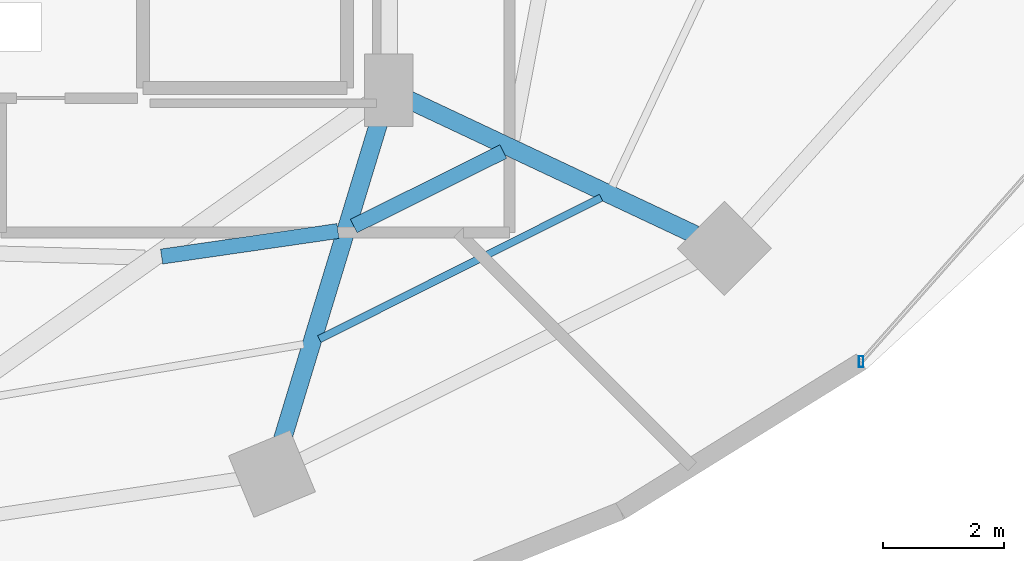
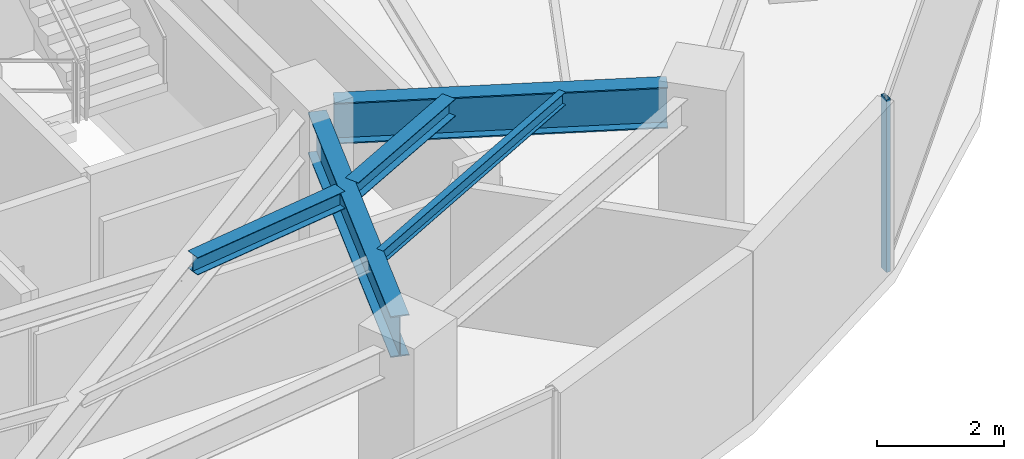
# One storey, part 12 of 31: 5 beams, 1 member, 1 element without a shape of its own.
"""IFC4 building model written with IfcOpenShell, lengths in metres."""

from ifc_helpers import new_model, si_unit, direction, frame, origin, origin_2d, place, context, subcontext, project, spatial, hollow_rectangle, i_section, extrude, material, material_profile, profile_set, type_object, element, aggregate, save


model = new_model("IFC4")

# Units and contexts
model_context = context("Model", 3, precision=1e-05, world=origin(), true_north=direction((0.0, 1.0)))
body_context = subcontext(model_context, "Body", "Model", "MODEL_VIEW")
ifc_project = project(units=[si_unit("LENGTHUNIT", "METRE"), si_unit("AREAUNIT", "SQUARE_METRE"), si_unit("VOLUMEUNIT", "CUBIC_METRE"), si_unit("PLANEANGLEUNIT", "RADIAN"), si_unit("MASSUNIT", "GRAM", prefix="KILO")], contexts=[model_context])

# Site, building, storey
site_placement = place(None, origin())
site = spatial("IfcSite", under=ifc_project, at=site_placement, CompositionType="ELEMENT")
building_placement = place(site_placement, origin())
building = spatial("IfcBuilding", under=site, at=building_placement, Name="Vorneva Point Tower", CompositionType="ELEMENT")
storey_placement = place(building_placement, frame((0.0, 0.0, 99.800048828125)))
storey = spatial("IfcBuildingStorey", under=building, at=storey_placement, Name="L26", CompositionType="ELEMENT", Elevation=99.800048828125)

# Beams
ifc_material_1 = material(Name="Steel S355", Category="steel")
ifc_material_profile_1 = material_profile(ifc_material_1, i_section(OverallWidth=0.300048828125, OverallDepth=0.7880859375, WebThickness=0.014404296875, FlangeThickness=0.02197265625, at=origin_2d()), Name="80Sh1")
ifc_profile_set_1 = profile_set([ifc_material_profile_1], Name="Steel S355")
beam_type_1 = type_object("IfcBeamType", Name="BM-GRD-80Sh1", PredefinedType="USERDEFINED", material=ifc_profile_set_1)
beam_1_placement = place(storey_placement, frame((46.9775390625, 10.6240234375, 2.845947265625), z_axis=(0.291034888253, 0.956712440506, 0.0), x_axis=(-0.956712440506, 0.291034888253, 0.0)))
element("IfcBeam", 1, at=beam_1_placement, inside=storey, type_object=beam_type_1, Name="L26 Radial Primary Girder 14", ObjectType="GIRDER", PredefinedType="USERDEFINED", context=body_context, shape_type="SweptSolid", body=[
    extrude(i_section(OverallWidth=0.300048828125, OverallDepth=0.7880859375, WebThickness=0.014404296875, FlangeThickness=0.02197265625, at=origin_2d()), origin(), (0.0, 0.0, 1.0), 5.74951171875),
])
beam_2_placement = place(storey_placement, frame((53.81201171875, 14.06689453125, 2.845947265625), z_axis=(-0.904751304927, 0.425940226126, 0.0), x_axis=(-0.425940226126, -0.904751304927, 0.0)))
element("IfcBeam", 2, at=beam_2_placement, inside=storey, type_object=beam_type_1, Name="L26 Radial Primary Girder 15", ObjectType="GIRDER", PredefinedType="USERDEFINED", context=body_context, shape_type="SweptSolid", body=[
    extrude(i_section(OverallWidth=0.300048828125, OverallDepth=0.7880859375, WebThickness=0.014404296875, FlangeThickness=0.02197265625, at=origin_2d()), origin(), (0.0, 0.0, 1.0), 5.2548828125),
])
ifc_material_profile_2 = material_profile(ifc_material_1, i_section(OverallWidth=0.1240234375, OverallDepth=0.248046875, WebThickness=0.0048828125, FlangeThickness=0.008056640625, at=origin_2d()), Name="25B1")
ifc_profile_set_2 = profile_set([ifc_material_profile_2], Name="Steel S355")
beam_type_2 = type_object("IfcBeamType", Name="BM-JST-25B1", PredefinedType="JOIST", material=ifc_profile_set_2)
beam_3_placement = place(storey_placement, frame((47.602783203125, 12.336181640625, 3.115966796875), z_axis=(0.893620424301, 0.448823503476, 0.0), x_axis=(-0.448823503476, 0.893620424301, 0.0)))
element("IfcBeam", 3, at=beam_3_placement, inside=storey, type_object=beam_type_2, Name="L26 Secondary Floor Beam 1.14", PredefinedType="JOIST", context=body_context, shape_type="SweptSolid", body=[
    extrude(i_section(OverallWidth=0.1240234375, OverallDepth=0.248046875, WebThickness=0.0048828125, FlangeThickness=0.008056640625, at=origin_2d()), origin(), (0.0, 0.0, 1.0), 5.21435546875),
])
ifc_material_profile_3 = material_profile(ifc_material_1, i_section(OverallWidth=0.2490234375, OverallDepth=0.333984375, WebThickness=0.008056640625, FlangeThickness=0.010986328125, at=origin_2d()), Name="35Sh1")
ifc_profile_set_3 = profile_set([ifc_material_profile_3], Name="Steel S355")
beam_type_3 = type_object("IfcBeamType", Name="BM-SEC-35Sh1", PredefinedType="BEAM", material=ifc_profile_set_3)
beam_4_placement = place(storey_placement, frame((44.9970703125, 13.701904296875, 3.072998046875), z_axis=(0.989653947992, 0.143474956782, 0.0), x_axis=(-0.143474956782, 0.989653947992, 0.0)))
element("IfcBeam", 4, at=beam_4_placement, inside=storey, type_object=beam_type_3, Name="L26 Secondary Floor Beam 2.13", PredefinedType="BEAM", context=body_context, shape_type="SweptSolid", body=[
    extrude(i_section(OverallWidth=0.2490234375, OverallDepth=0.333984375, WebThickness=0.008056640625, FlangeThickness=0.010986328125, at=origin_2d()), origin(), (0.0, 0.0, 1.0), 2.945556640625),
])
beam_5_placement = place(storey_placement, frame((48.172119140625, 14.2060546875, 3.072998046875), z_axis=(0.895132850835, 0.445799483351, 0.0), x_axis=(-0.445799483351, 0.895132850835, 0.0)))
element("IfcBeam", 5, at=beam_5_placement, inside=storey, type_object=beam_type_3, Name="L26 Secondary Floor Beam 2.14", PredefinedType="BEAM", context=body_context, shape_type="SweptSolid", body=[
    extrude(i_section(OverallWidth=0.2490234375, OverallDepth=0.333984375, WebThickness=0.008056640625, FlangeThickness=0.010986328125, at=origin_2d()), origin(), (0.0, 0.0, 1.0), 2.763427734375),
])

# Curtain wall, member
ifc_material_2 = material(Name="Pale anodised aluminium", Category="aluminium")
curtain_wall_type = type_object("IfcCurtainWallType", Name="CW-HTL-SYS", PredefinedType="NOTDEFINED", material=ifc_material_2)
curtain_wall_placement = place(storey_placement, origin())
curtain_wall = element("IfcCurtainWall", 6, at=curtain_wall_placement, inside=storey, type_object=curtain_wall_type, Name="L26 Unitised Curtain Wall CW-L26-R01", PredefinedType="NOTDEFINED")
ifc_material_profile_4 = material_profile(ifc_material_2, hollow_rectangle(XDim=0.074951171875, YDim=0.179931640625, WallThickness=0.00390625, at=origin_2d()), Name="AL-MUL 180x75x4")
ifc_profile_set_4 = profile_set([ifc_material_profile_4], Name="Pale anodised aluminium")
member_type = type_object("IfcMemberType", Name="CW-MUL-180", PredefinedType="MULLION", material=ifc_profile_set_4)
member_placement = place(storey_placement, frame((56.5615234375, 11.9638671875, -0.0400390625), z_axis=(0.0, 0.0, 1.0), x_axis=(1.0, 0.0, 0.0)))
member = element("IfcMember", 7, at=member_placement, type_object=member_type, Name="CW-L26-R01 Mullion 01", PredefinedType="MULLION", context=body_context, shape_type="SweptSolid", body=[
    extrude(hollow_rectangle(XDim=0.074951171875, YDim=0.179931640625, WallThickness=0.00390625, at=origin_2d()), origin(), (0.0, 0.0, 1.0), 3.31005859375),
])
aggregate(curtain_wall, [member])

save(model, "model.ifc")
